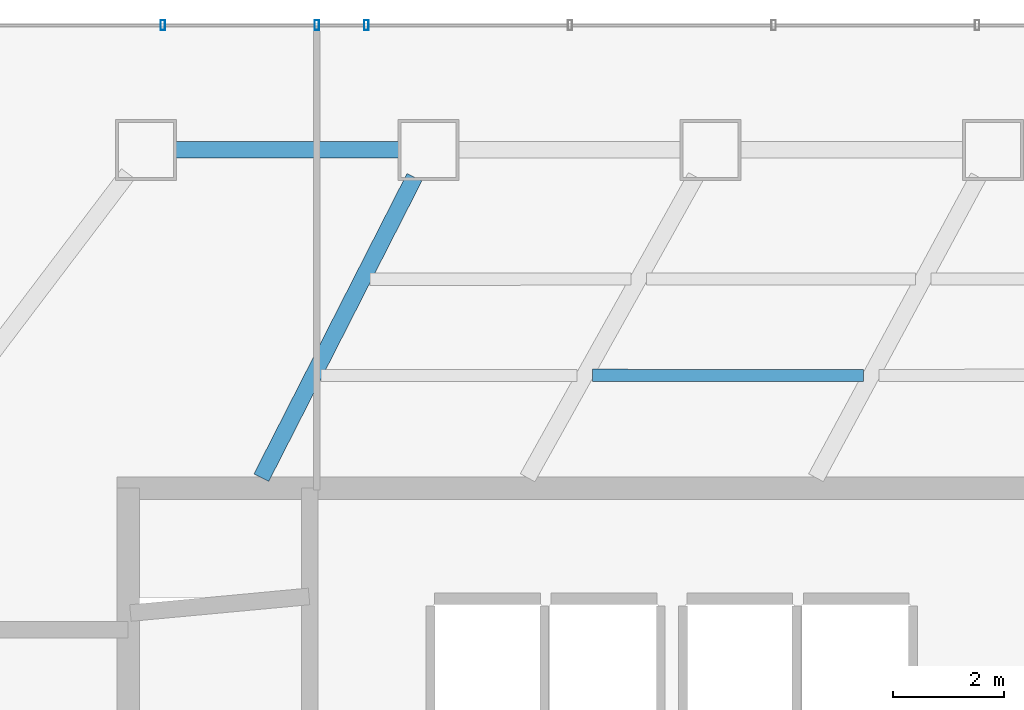
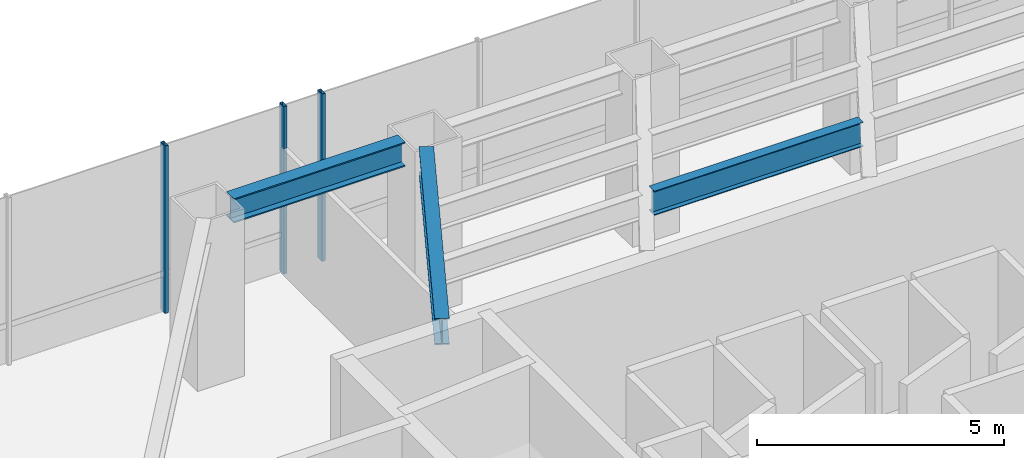
# One storey, part 20 of 37: 3 beams, 3 members, 1 element without a shape of its own.
"""IFC4 building model written with IfcOpenShell, lengths in metres."""

from ifc_helpers import new_model, si_unit, direction, frame, origin, origin_2d, place, context, subcontext, project, spatial, hollow_rectangle, i_section, extrude, material, layer, layer_set, material_profile, profile_set, type_object, element, aggregate, save


model = new_model("IFC4")

# Units and contexts
model_context = context("Model", 3, precision=1e-05, world=origin(), true_north=direction((0.0, 1.0)))
body_context = subcontext(model_context, "Body", "Model", "MODEL_VIEW")
ifc_project = project(units=[si_unit("LENGTHUNIT", "METRE"), si_unit("AREAUNIT", "SQUARE_METRE"), si_unit("VOLUMEUNIT", "CUBIC_METRE"), si_unit("PLANEANGLEUNIT", "RADIAN"), si_unit("MASSUNIT", "GRAM", prefix="KILO")], contexts=[model_context])

# Site, building, storey
site_placement = place(None, origin())
site = spatial("IfcSite", under=ifc_project, at=site_placement, CompositionType="ELEMENT")
building_placement = place(site_placement, origin())
building = spatial("IfcBuilding", under=site, at=building_placement, Name="Zarrinselat Tower", CompositionType="ELEMENT")
storey_placement = place(building_placement, frame((0.0, 0.0, 9.52001953125)))
storey = spatial("IfcBuildingStorey", under=building, at=storey_placement, Name="L02", CompositionType="ELEMENT", Elevation=9.52001953125)

# Beams
ifc_material_1 = material(Name="Steel S355J2", Category="steel")
ifc_material_profile_1 = material_profile(ifc_material_1, i_section(OverallWidth=0.300048828125, OverallDepth=0.60009765625, WebThickness=0.015380859375, FlangeThickness=0.030029296875, at=origin_2d()), Name="HEB 600")
ifc_profile_set_1 = profile_set([ifc_material_profile_1], Name="Steel S355J2")
beam_type_1 = type_object("IfcBeamType", Name="BM-HEB600", PredefinedType="BEAM", material=ifc_profile_set_1)
beam_1_placement = place(storey_placement, frame((29.4609375, 49.550048828125, 3.840087890625), z_axis=(1.0, 0.0, 0.0), x_axis=(0.0, 1.0, 0.0)))
element("IfcBeam", 1, at=beam_1_placement, inside=storey, type_object=beam_type_1, Name="L02 Perimeter Spandrel Girder SP04", PredefinedType="BEAM", context=body_context, shape_type="SweptSolid", body=[
    extrude(i_section(OverallWidth=0.300048828125, OverallDepth=0.60009765625, WebThickness=0.015380859375, FlangeThickness=0.030029296875, at=origin_2d()), origin(), (0.0, 0.0, 1.0), 4.012451171875),
])
ifc_material_2 = material(Name="Steel S355J2", Category="steel")
ifc_material_profile_2 = material_profile(ifc_material_2, i_section(OverallWidth=0.300048828125, OverallDepth=0.64990234375, WebThickness=0.01611328125, FlangeThickness=0.031005859375, at=origin_2d()), Name="HEB 650")
ifc_profile_set_2 = profile_set([ifc_material_profile_2], Name="Steel S355J2")
beam_type_2 = type_object("IfcBeamType", Name="BM-HEB650", PredefinedType="BEAM", material=ifc_profile_set_2)
beam_2_placement = place(storey_placement, frame((31.0, 43.639892578125, 3.81494140625), z_axis=(0.454025613445, 0.89098863199, 0.0), x_axis=(-0.89098863199, 0.454025613445, 0.0)))
element("IfcBeam", 2, at=beam_2_placement, inside=storey, type_object=beam_type_2, Name="L02 Radial Primary Girder RG04", PredefinedType="BEAM", context=body_context, shape_type="SweptSolid", body=[
    extrude(i_section(OverallWidth=0.300048828125, OverallDepth=0.64990234375, WebThickness=0.01611328125, FlangeThickness=0.031005859375, at=origin_2d()), origin(), (0.0, 0.0, 1.0), 6.0810546875),
])
ifc_material_3 = material(Name="Steel S355J2", Category="steel")
ifc_material_profile_3 = material_profile(ifc_material_3, i_section(OverallWidth=0.219970703125, OverallDepth=0.60009765625, WebThickness=0.011962890625, FlangeThickness=0.01904296875, at=origin_2d()), Name="IPE 600")
ifc_profile_set_3 = profile_set([ifc_material_profile_3], Name="Steel S355J2")
beam_type_3 = type_object("IfcBeamType", Name="BM-IPE600", PredefinedType="JOIST", material=ifc_profile_set_3)
beam_3_placement = place(storey_placement, frame((36.970458984375, 45.485595703125, 3.840087890625), z_axis=(0.999999968772, -0.000249912523, 0.0), x_axis=(0.000249912523, 0.999999968772, 0.0)))
element("IfcBeam", 3, at=beam_3_placement, inside=storey, type_object=beam_type_3, Name="L02 Composite Floor Joist 8-2", PredefinedType="JOIST", context=body_context, shape_type="SweptSolid", body=[
    extrude(i_section(OverallWidth=0.219970703125, OverallDepth=0.60009765625, WebThickness=0.011962890625, FlangeThickness=0.01904296875, at=origin_2d()), origin(), (0.0, 0.0, 1.0), 4.884521484375),
])

# Curtain wall, members
ifc_material_4 = material(Name="Extruded Aluminium Alloy EN AW-6063 T6", Category="aluminium")
ifc_layer = layer(ifc_material_4, 0.2099609375)
ifc_layer_set = layer_set([ifc_layer], Name="Extruded Aluminium Alloy EN AW-6063 T6")
curtain_wall_type = type_object("IfcCurtainWallType", Name="CWS-POD", PredefinedType="NOTDEFINED", material=ifc_layer_set)
curtain_wall_placement = place(storey_placement, origin())
curtain_wall = element("IfcCurtainWall", 4, at=curtain_wall_placement, inside=storey, type_object=curtain_wall_type, Name="L02 Unitised Curtain Wall CW-L02-F5", PredefinedType="NOTDEFINED")
ifc_material_5 = material(Name="Extruded Aluminium Alloy EN AW-6063 T6", Category="aluminium")
ifc_material_profile_4 = material_profile(ifc_material_5, hollow_rectangle(XDim=0.080078125, YDim=0.179931640625, WallThickness=0.0048828125, at=origin_2d()), Name="RHS 180x80x5")
ifc_profile_set_4 = profile_set([ifc_material_profile_4], Name="Extruded Aluminium Alloy EN AW-6063 T6")
member_type = type_object("IfcMemberType", Name="MEM-CW-MUL", PredefinedType="MULLION", material=ifc_profile_set_4)
member_1_placement = place(storey_placement, frame((32.89404296875, 51.800048828125, 0.0), z_axis=(0.0, 0.0, 1.0), x_axis=(-1.0, 0.0, 0.0)))
member_1 = element("IfcMember", 5, at=member_1_placement, type_object=member_type, Name="CW-L02-F5 Mullion 10", PredefinedType="MULLION", context=body_context, shape_type="SweptSolid", body=[
    extrude(hollow_rectangle(XDim=0.080078125, YDim=0.179931640625, WallThickness=0.0048828125, at=origin_2d()), origin(), (0.0, 0.0, 1.0), 4.139892578125),
])
member_2_placement = place(storey_placement, frame((32.0, 51.800048828125, 0.0), z_axis=(0.0, 0.0, 1.0), x_axis=(-1.0, 0.0, 0.0)))
member_2 = element("IfcMember", 6, at=member_2_placement, type_object=member_type, Name="CW-L02-F5 Mullion 11", PredefinedType="MULLION", context=body_context, shape_type="SweptSolid", body=[
    extrude(hollow_rectangle(XDim=0.080078125, YDim=0.179931640625, WallThickness=0.0048828125, at=origin_2d()), origin(), (0.0, 0.0, 1.0), 4.139892578125),
])
member_3_placement = place(storey_placement, frame((29.223388671875, 51.800048828125, 0.0), z_axis=(0.0, 0.0, 1.0), x_axis=(-1.0, 0.0, 0.0)))
member_3 = element("IfcMember", 7, at=member_3_placement, type_object=member_type, Name="CW-L02-F5 Mullion 12", PredefinedType="MULLION", context=body_context, shape_type="SweptSolid", body=[
    extrude(hollow_rectangle(XDim=0.080078125, YDim=0.179931640625, WallThickness=0.0048828125, at=origin_2d()), origin(), (0.0, 0.0, 1.0), 4.139892578125),
])
aggregate(curtain_wall, [member_1, member_2, member_3])

save(model, "model.ifc")
